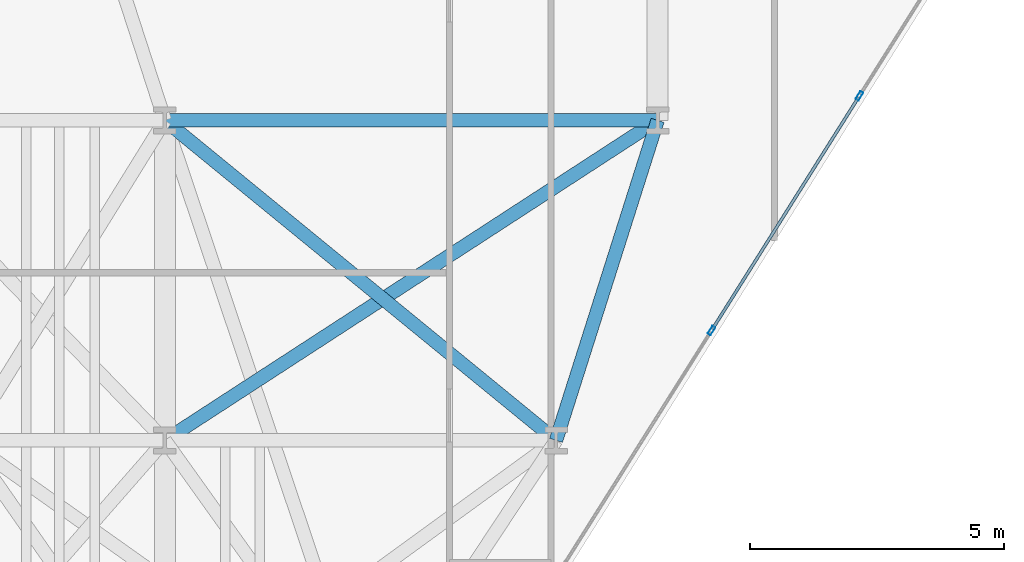
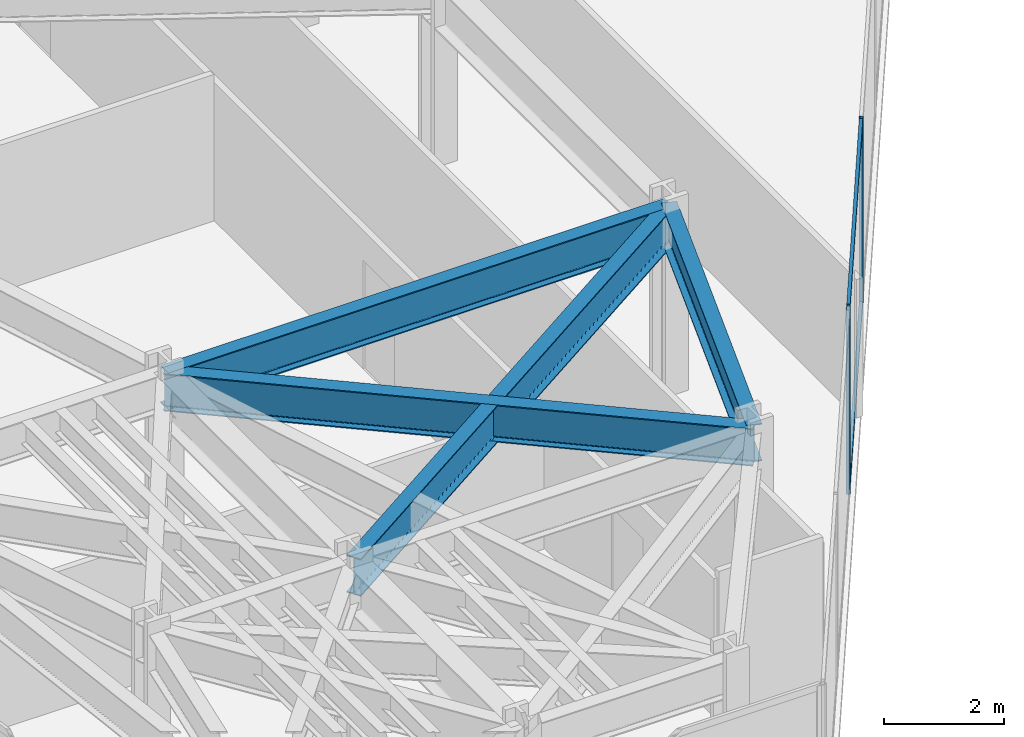
# One storey, part 6 of 25: 4 beams, 4 members, 1 element without a shape of its own.
"""IFC4 building model written with IfcOpenShell, lengths in metres."""

from ifc_helpers import new_model, si_unit, direction, frame, origin, origin_2d, place, context, subcontext, project, spatial, hollow_rectangle, i_section, extrude, material, layer, layer_set, material_profile, profile_set, type_object, element, aggregate, save


model = new_model("IFC4")

# Units and contexts
model_context = context("Model", 3, precision=1e-05, world=origin(), true_north=direction((0.0, 1.0)))
body_context = subcontext(model_context, "Body", "Model", "MODEL_VIEW")
ifc_project = project(units=[si_unit("LENGTHUNIT", "METRE"), si_unit("AREAUNIT", "SQUARE_METRE"), si_unit("VOLUMEUNIT", "CUBIC_METRE"), si_unit("PLANEANGLEUNIT", "RADIAN"), si_unit("MASSUNIT", "GRAM", prefix="KILO")], contexts=[model_context])

# Site, building, storey
site_placement = place(None, origin())
site = spatial("IfcSite", under=ifc_project, at=site_placement, CompositionType="ELEMENT")
building_placement = place(site_placement, origin())
building = spatial("IfcBuilding", under=site, at=building_placement, Name="Kravanh Interchange Tower", CompositionType="ELEMENT")
storey_placement = place(building_placement, frame((0.0, 0.0, 49.5)))
storey = spatial("IfcBuildingStorey", under=building, at=storey_placement, Name="L11", CompositionType="ELEMENT", Elevation=49.5)

# Curtain wall, members
ifc_material_1 = material(Name="Anodised Bronze Aluminium", Category="aluminium")
ifc_layer = layer(ifc_material_1, 0.179931640625)
ifc_layer_set = layer_set([ifc_layer], Name="Unitised Curtain Wall System CW-Z1 Lower Office")
curtain_wall_type = type_object("IfcCurtainWallType", Name="Unitised Curtain Wall System CW-Z1 Lower Office", PredefinedType="NOTDEFINED", material=ifc_layer_set)
curtain_wall_placement = place(storey_placement, origin())
curtain_wall = element("IfcCurtainWall", 1, at=curtain_wall_placement, inside=storey, type_object=curtain_wall_type, Name="L11 Unitised Curtain Wall CW-L11-05", PredefinedType="NOTDEFINED")
ifc_material_2 = material(Name="Anodised Bronze Aluminium", Category="aluminium")
ifc_material_profile_1 = material_profile(ifc_material_2, hollow_rectangle(XDim=0.070068359375, YDim=0.179931640625, WallThickness=0.00390625, at=origin_2d()), Name="ALU70X180X4")
ifc_profile_set_1 = profile_set([ifc_material_profile_1], Name="Anodised Bronze Aluminium")
member_type_1 = type_object("IfcMemberType", Name="Curtain Wall Mullion ALU70X180X4 Bronze", PredefinedType="MULLION", material=ifc_profile_set_1)
member_1_placement = place(storey_placement, frame((31.173583984375, 14.98291015625, 0.0), z_axis=(0.0, 0.0, 1.0), x_axis=(0.845925530786, -0.53330103728, 0.0)))
member_1 = element("IfcMember", 2, at=member_1_placement, type_object=member_type_1, Name="CW-Z1 mullion 3", PredefinedType="MULLION", context=body_context, shape_type="SweptSolid", body=[
    extrude(hollow_rectangle(XDim=0.070068359375, YDim=0.179931640625, WallThickness=0.00390625, at=origin_2d()), origin(), (0.0, 0.0, 1.0), 3.739990234375),
])
member_2_placement = place(storey_placement, frame((28.26025390625, 10.362060546875, 0.0), z_axis=(0.0, 0.0, 1.0), x_axis=(0.845925530786, -0.53330103728, 0.0)))
member_2 = element("IfcMember", 3, at=member_2_placement, type_object=member_type_1, Name="CW-Z1 mullion 4", PredefinedType="MULLION", context=body_context, shape_type="SweptSolid", body=[
    extrude(hollow_rectangle(XDim=0.070068359375, YDim=0.179931640625, WallThickness=0.00390625, at=origin_2d()), origin(), (0.0, 0.0, 1.0), 3.739990234375),
])
ifc_material_3 = material(Name="Anodised Bronze Aluminium", Category="aluminium")
ifc_material_profile_2 = material_profile(ifc_material_3, hollow_rectangle(XDim=0.06005859375, YDim=0.139892578125, WallThickness=0.00390625, at=origin_2d()), Name="ALU60X140X4")
ifc_profile_set_2 = profile_set([ifc_material_profile_2], Name="Anodised Bronze Aluminium")
member_type_2 = type_object("IfcMemberType", Name="Curtain Wall Transom ALU60X140X4 Bronze", PredefinedType="USERDEFINED", material=ifc_profile_set_2)
member_3_placement = place(storey_placement, frame((31.15478515625, 14.953369140625, 0.030029296875), z_axis=(-0.533279090152, -0.845939366626, 0.0), x_axis=(0.845939366626, -0.533279090152, 0.0)))
member_3 = element("IfcMember", 4, at=member_3_placement, type_object=member_type_2, Name="CW-Z1 transom 3.1", ObjectType="TRANSOM", PredefinedType="USERDEFINED", context=body_context, shape_type="SweptSolid", body=[
    extrude(hollow_rectangle(XDim=0.06005859375, YDim=0.139892578125, WallThickness=0.00390625, at=origin_2d()), origin(), (0.0, 0.0, 1.0), 5.392578125),
])
member_4_placement = place(storey_placement, frame((31.15478515625, 14.953369140625, 3.7099609375), z_axis=(-0.533279090152, -0.845939366626, 0.0), x_axis=(0.845939366626, -0.533279090152, 0.0)))
member_4 = element("IfcMember", 5, at=member_4_placement, type_object=member_type_2, Name="CW-Z1 transom 3.2", ObjectType="TRANSOM", PredefinedType="USERDEFINED", context=body_context, shape_type="SweptSolid", body=[
    extrude(hollow_rectangle(XDim=0.06005859375, YDim=0.139892578125, WallThickness=0.00390625, at=origin_2d()), origin(), (0.0, 0.0, 1.0), 5.392578125),
])
aggregate(curtain_wall, [member_1, member_2, member_3, member_4])

# Beams
ifc_material_4 = material(Name="Structural Steel S355", Category="steel")
ifc_material_profile_3 = material_profile(ifc_material_4, i_section(OverallWidth=0.26708984375, OverallDepth=0.761962890625, WebThickness=0.014404296875, FlangeThickness=0.021484375, FilletRadius=0.02490234375, at=origin_2d()), Name="W30X116")
ifc_profile_set_3 = profile_set([ifc_material_profile_3], Name="Structural Steel S355")
beam_type = type_object("IfcBeamType", Name="Floor Spandrel W30X116 Structural Steel S355", PredefinedType="SPANDREL", material=ifc_profile_set_3)
beam_1_placement = place(storey_placement, frame((17.5, 8.199951171875, 3.35888671875), z_axis=(0.838637911458, 0.544689318295, 0.0), x_axis=(-0.544689318295, 0.838637911458, 0.0)))
element("IfcBeam", 6, at=beam_1_placement, inside=storey, type_object=beam_type, Name="L11 Perimeter Spandrel 139", PredefinedType="SPANDREL", context=body_context, shape_type="SweptSolid", body=[
    extrude(i_section(OverallWidth=0.26708984375, OverallDepth=0.761962890625, WebThickness=0.014404296875, FlangeThickness=0.021484375, FilletRadius=0.02490234375, at=origin_2d()), origin(), (0.0, 0.0, 1.0), 11.56640625),
])
beam_2_placement = place(storey_placement, frame((25.199951171875, 8.199951171875, 3.35888671875), z_axis=(0.30257700201, 0.953124943465, 0.0), x_axis=(-0.953124943465, 0.30257700201, 0.0)))
element("IfcBeam", 7, at=beam_2_placement, inside=storey, type_object=beam_type, Name="L11 Perimeter Spandrel 140", PredefinedType="SPANDREL", context=body_context, shape_type="SweptSolid", body=[
    extrude(i_section(OverallWidth=0.26708984375, OverallDepth=0.761962890625, WebThickness=0.014404296875, FlangeThickness=0.021484375, FilletRadius=0.02490234375, at=origin_2d()), origin(), (0.0, 0.0, 1.0), 6.60986328125),
])
beam_3_placement = place(storey_placement, frame((25.199951171875, 8.199951171875, 3.35888671875), z_axis=(-0.773952925799, 0.633243135491, 0.0), x_axis=(-0.633243135491, -0.773952925799, 0.0)))
element("IfcBeam", 8, at=beam_3_placement, inside=storey, type_object=beam_type, Name="L11 Perimeter Spandrel 141", PredefinedType="SPANDREL", context=body_context, shape_type="SweptSolid", body=[
    extrude(i_section(OverallWidth=0.26708984375, OverallDepth=0.761962890625, WebThickness=0.014404296875, FlangeThickness=0.021484375, FilletRadius=0.02490234375, at=origin_2d()), origin(), (0.0, 0.0, 1.0), 9.948974609375),
])
beam_4_placement = place(storey_placement, frame((17.5, 14.5, 3.35888671875), z_axis=(1.0, 0.0, 0.0), x_axis=(0.0, 1.0, 0.0)))
element("IfcBeam", 9, at=beam_4_placement, inside=storey, type_object=beam_type, Name="L11 Perimeter Spandrel 144", PredefinedType="SPANDREL", context=body_context, shape_type="SweptSolid", body=[
    extrude(i_section(OverallWidth=0.26708984375, OverallDepth=0.761962890625, WebThickness=0.014404296875, FlangeThickness=0.021484375, FilletRadius=0.02490234375, at=origin_2d()), origin(), (0.0, 0.0, 1.0), 9.699951171875),
])

save(model, "model.ifc")
